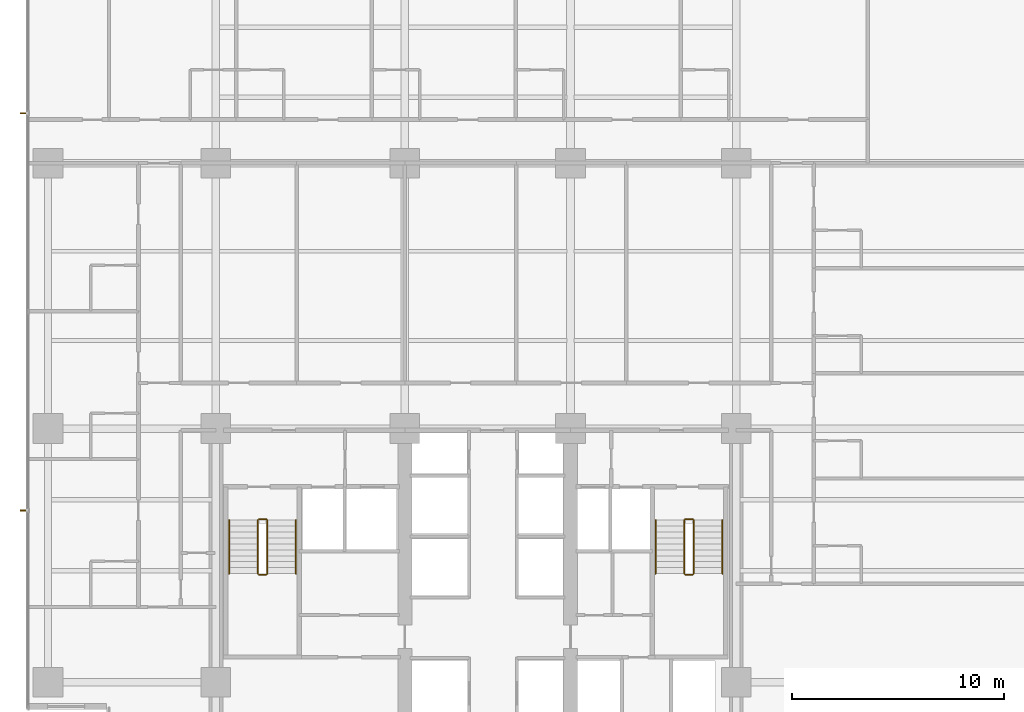
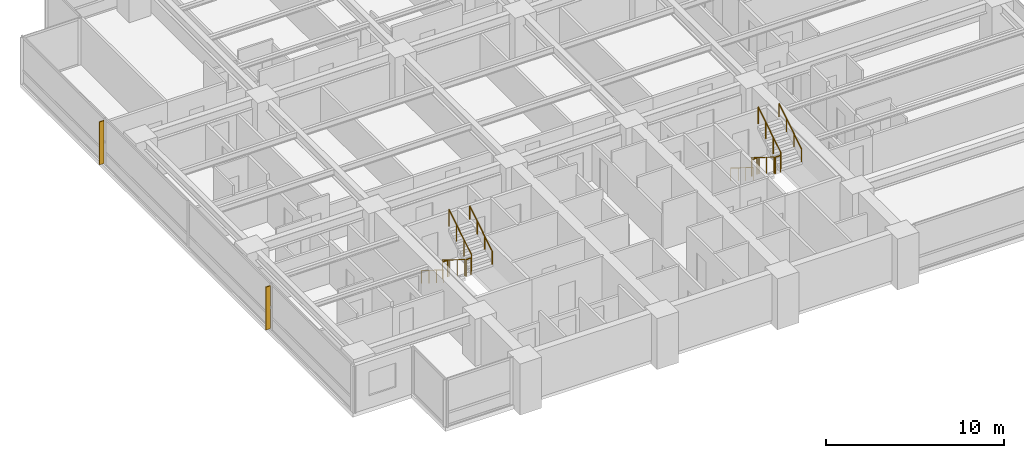
# One storey, part 15 of 17: 12 railings, 2 shading devices.
"""IFC4 building model written with IfcOpenShell, lengths in metres."""

from ifc_helpers import new_model, si_unit, direction, frame, origin, origin_2d, place, context, subcontext, project, spatial, polyline, circle, outline, extrude, material, layer, layer_set, type_object, element, save


model = new_model("IFC4")

# Units and contexts
model_context = context("Model", 3, precision=1e-05, world=origin(), true_north=direction((0.0, 1.0)))
body_context = subcontext(model_context, "Body", "Model", "MODEL_VIEW")
ifc_project = project(units=[si_unit("LENGTHUNIT", "METRE"), si_unit("AREAUNIT", "SQUARE_METRE"), si_unit("VOLUMEUNIT", "CUBIC_METRE"), si_unit("PLANEANGLEUNIT", "RADIAN"), si_unit("MASSUNIT", "GRAM", prefix="KILO")], contexts=[model_context])

# Site, building, storey
site_placement = place(None, origin())
site = spatial("IfcSite", under=ifc_project, at=site_placement, CompositionType="ELEMENT")
building_placement = place(site_placement, origin())
building = spatial("IfcBuilding", under=site, at=building_placement, Name="Qalmaran Belvedere Hotel", CompositionType="ELEMENT")
storey_placement = place(building_placement, frame((0.0, 0.0, 40.39990234375)))
storey = spatial("IfcBuildingStorey", under=building, at=storey_placement, Name="L09", CompositionType="ELEMENT", Elevation=40.39990234375)

# Shading devices
ifc_material_1 = material(Name="Anodised Bronze Aluminium", Category="aluminium")
ifc_layer = layer(ifc_material_1, 0.06494140625, Name="Anodised Bronze Aluminium")
ifc_layer_set = layer_set([ifc_layer], Name="Anodised Bronze Aluminium")
shading_device_type = type_object("IfcShadingDeviceType", Name="FIN-BRNZ-300", PredefinedType="USERDEFINED", material=ifc_layer_set)
shading_device_1_placement = place(storey_placement, frame((0.0, 0.0, 0.16015625)))
element("IfcShadingDevice", 1, at=shading_device_1_placement, inside=storey, type_object=shading_device_type, Name="L09 Bronze Fin 1", ObjectType="FIN", PredefinedType="USERDEFINED", context=body_context, shape_type="SweptSolid", body=[
    extrude(outline(polyline([(11.37744140625, 35.382568359375), (11.077392578125, 35.382568359375), (11.077392578125, 35.3173828125), (11.37744140625, 35.3173828125), (11.37744140625, 35.382568359375)])), origin(), (0.0, 0.0, 1.0), 2.93994140625),
])
shading_device_2_placement = place(storey_placement, frame((0.0, 0.0, 0.16015625)))
element("IfcShadingDevice", 2, at=shading_device_2_placement, inside=storey, type_object=shading_device_type, Name="L09 Bronze Fin 3", ObjectType="FIN", PredefinedType="USERDEFINED", context=body_context, shape_type="SweptSolid", body=[
    extrude(outline(polyline([(11.37744140625, 16.6826171875), (11.077392578125, 16.6826171875), (11.077392578125, 16.617431640625), (11.37744140625, 16.617431640625), (11.37744140625, 16.6826171875)])), origin(), (0.0, 0.0, 1.0), 2.93994140625),
])

# Railings
ifc_material_2 = material(Name="Stainless Steel 1.4401", Category="steel")
railing_type_1 = type_object("IfcRailingType", Name="RLG-STAIR-GUARD-1150", PredefinedType="GUARDRAIL", material=ifc_material_2)
railing_1_placement = place(storey_placement, frame((22.280029296875, 16.18994140625, 0.175048828125)))
element("IfcRailing", 3, at=railing_1_placement, inside=storey, type_object=railing_type_1, Name="L09 ST-1 stair guard 1", PredefinedType="GUARDRAIL", context=body_context, shape_type="SweptSolid", body=[
    extrude(circle(Radius=0.02392578125, at=origin_2d()), frame((0.0, 0.0, 1.1259765625), z_axis=(0.0, -0.848007534815, 0.529984170421), x_axis=(1.0, 0.0, 0.0)), (0.0, 0.0, 1.0), 2.9716796875),
    extrude(circle(Radius=0.02099609375, at=origin_2d()), origin(), (0.0, 0.0, 1.0), 1.101806640625),
    extrude(circle(Radius=0.02099609375, at=origin_2d()), frame((0.0, -0.840087890625, 0.52490234375)), (0.0, 0.0, 1.0), 1.101806640625),
    extrude(circle(Radius=0.02099609375, at=origin_2d()), frame((0.0, -1.679931640625, 1.050048828125)), (0.0, 0.0, 1.0), 1.101806640625),
    extrude(circle(Radius=0.02099609375, at=origin_2d()), frame((0.0, -2.52001953125, 1.574951171875)), (0.0, 0.0, 1.0), 1.101806640625),
])
railing_2_placement = place(storey_placement, frame((22.330078125, 13.6201171875, 1.75)))
element("IfcRailing", 4, at=railing_2_placement, inside=storey, type_object=railing_type_1, Name="L09 ST-1 stair guard 2", PredefinedType="GUARDRAIL", context=body_context, shape_type="SweptSolid", body=[
    extrude(circle(Radius=0.02392578125, at=origin_2d()), frame((0.0, 0.0, 1.1259765625), z_axis=(1.0, 0.0, 0.0), x_axis=(0.0, 1.0, 0.0)), (0.0, 0.0, 1.0), 0.33984375),
    extrude(circle(Radius=0.02099609375, at=origin_2d()), origin(), (0.0, 0.0, 1.0), 1.101806640625),
    extrude(circle(Radius=0.02099609375, at=origin_2d()), frame((0.33984375, 0.0, 0.0)), (0.0, 0.0, 1.0), 1.101806640625),
])
railing_3_placement = place(storey_placement, frame((22.719970703125, 13.669921875, 1.925048828125)))
element("IfcRailing", 5, at=railing_3_placement, inside=storey, type_object=railing_type_1, Name="L09 ST-1 stair guard 3", PredefinedType="GUARDRAIL", context=body_context, shape_type="SweptSolid", body=[
    extrude(circle(Radius=0.02392578125, at=origin_2d()), frame((0.0, 0.0, 1.1259765625), z_axis=(0.0, 0.848007534815, 0.529984170421), x_axis=(-1.0, 0.0, 0.0)), (0.0, 0.0, 1.0), 2.9716796875),
    extrude(circle(Radius=0.02099609375, at=origin_2d()), origin(), (0.0, 0.0, 1.0), 1.101806640625),
    extrude(circle(Radius=0.02099609375, at=origin_2d()), frame((0.0, 0.840087890625, 0.52490234375)), (0.0, 0.0, 1.0), 1.101806640625),
    extrude(circle(Radius=0.02099609375, at=origin_2d()), frame((0.0, 1.679931640625, 1.050048828125)), (0.0, 0.0, 1.0), 1.101806640625),
    extrude(circle(Radius=0.02099609375, at=origin_2d()), frame((0.0, 2.52001953125, 1.574951171875)), (0.0, 0.0, 1.0), 1.101806640625),
])
railing_4_placement = place(storey_placement, frame((22.330078125, 16.239990234375, 0.0)))
element("IfcRailing", 6, at=railing_4_placement, inside=storey, type_object=railing_type_1, Name="L09 ST-1 stair guard 4", PredefinedType="GUARDRAIL", context=body_context, shape_type="SweptSolid", body=[
    extrude(circle(Radius=0.02392578125, at=origin_2d()), frame((0.0, 0.0, 1.1259765625), z_axis=(1.0, 0.0, 0.0), x_axis=(0.0, 1.0, 0.0)), (0.0, 0.0, 1.0), 0.33984375),
    extrude(circle(Radius=0.02099609375, at=origin_2d()), origin(), (0.0, 0.0, 1.0), 1.101806640625),
    extrude(circle(Radius=0.02099609375, at=origin_2d()), frame((0.33984375, 0.0, 0.0)), (0.0, 0.0, 1.0), 1.101806640625),
])
railing_5_placement = place(storey_placement, frame((42.360107421875, 16.18994140625, 0.175048828125)))
element("IfcRailing", 7, at=railing_5_placement, inside=storey, type_object=railing_type_1, Name="L09 ST-2 stair guard 1", PredefinedType="GUARDRAIL", context=body_context, shape_type="SweptSolid", body=[
    extrude(circle(Radius=0.02392578125, at=origin_2d()), frame((0.0, 0.0, 1.1259765625), z_axis=(0.0, -0.848007534815, 0.529984170421), x_axis=(1.0, 0.0, 0.0)), (0.0, 0.0, 1.0), 2.9716796875),
    extrude(circle(Radius=0.02099609375, at=origin_2d()), origin(), (0.0, 0.0, 1.0), 1.101806640625),
    extrude(circle(Radius=0.02099609375, at=origin_2d()), frame((0.0, -0.840087890625, 0.52490234375)), (0.0, 0.0, 1.0), 1.101806640625),
    extrude(circle(Radius=0.02099609375, at=origin_2d()), frame((0.0, -1.679931640625, 1.050048828125)), (0.0, 0.0, 1.0), 1.101806640625),
    extrude(circle(Radius=0.02099609375, at=origin_2d()), frame((0.0, -2.52001953125, 1.574951171875)), (0.0, 0.0, 1.0), 1.101806640625),
])
railing_6_placement = place(storey_placement, frame((42.409912109375, 13.6201171875, 1.75)))
element("IfcRailing", 8, at=railing_6_placement, inside=storey, type_object=railing_type_1, Name="L09 ST-2 stair guard 2", PredefinedType="GUARDRAIL", context=body_context, shape_type="SweptSolid", body=[
    extrude(circle(Radius=0.02392578125, at=origin_2d()), frame((0.0, 0.0, 1.1259765625), z_axis=(1.0, 0.0, 0.0), x_axis=(0.0, 1.0, 0.0)), (0.0, 0.0, 1.0), 0.340087890625),
    extrude(circle(Radius=0.02099609375, at=origin_2d()), origin(), (0.0, 0.0, 1.0), 1.101806640625),
    extrude(circle(Radius=0.02099609375, at=origin_2d()), frame((0.340087890625, 0.0, 0.0)), (0.0, 0.0, 1.0), 1.101806640625),
])
railing_7_placement = place(storey_placement, frame((42.800048828125, 13.669921875, 1.925048828125)))
element("IfcRailing", 9, at=railing_7_placement, inside=storey, type_object=railing_type_1, Name="L09 ST-2 stair guard 3", PredefinedType="GUARDRAIL", context=body_context, shape_type="SweptSolid", body=[
    extrude(circle(Radius=0.02392578125, at=origin_2d()), frame((0.0, 0.0, 1.1259765625), z_axis=(0.0, 0.848007534815, 0.529984170421), x_axis=(-1.0, 0.0, 0.0)), (0.0, 0.0, 1.0), 2.9716796875),
    extrude(circle(Radius=0.02099609375, at=origin_2d()), origin(), (0.0, 0.0, 1.0), 1.101806640625),
    extrude(circle(Radius=0.02099609375, at=origin_2d()), frame((0.0, 0.840087890625, 0.52490234375)), (0.0, 0.0, 1.0), 1.101806640625),
    extrude(circle(Radius=0.02099609375, at=origin_2d()), frame((0.0, 1.679931640625, 1.050048828125)), (0.0, 0.0, 1.0), 1.101806640625),
    extrude(circle(Radius=0.02099609375, at=origin_2d()), frame((0.0, 2.52001953125, 1.574951171875)), (0.0, 0.0, 1.0), 1.101806640625),
])
railing_8_placement = place(storey_placement, frame((42.409912109375, 16.239990234375, 0.0)))
element("IfcRailing", 10, at=railing_8_placement, inside=storey, type_object=railing_type_1, Name="L09 ST-2 stair guard 4", PredefinedType="GUARDRAIL", context=body_context, shape_type="SweptSolid", body=[
    extrude(circle(Radius=0.02392578125, at=origin_2d()), frame((0.0, 0.0, 1.1259765625), z_axis=(1.0, 0.0, 0.0), x_axis=(0.0, 1.0, 0.0)), (0.0, 0.0, 1.0), 0.340087890625),
    extrude(circle(Radius=0.02099609375, at=origin_2d()), origin(), (0.0, 0.0, 1.0), 1.101806640625),
    extrude(circle(Radius=0.02099609375, at=origin_2d()), frame((0.340087890625, 0.0, 0.0)), (0.0, 0.0, 1.0), 1.101806640625),
])
railing_type_2 = type_object("IfcRailingType", Name="RLG-STAIR-HAND-910", PredefinedType="HANDRAIL", material=ifc_material_2)
railing_9_placement = place(storey_placement, frame((20.929931640625, 16.18994140625, 0.175048828125)))
element("IfcRailing", 11, at=railing_9_placement, inside=storey, type_object=railing_type_2, Name="L09 ST-1 stair handrail 1", PredefinedType="HANDRAIL", context=body_context, shape_type="SweptSolid", body=[
    extrude(circle(Radius=0.02392578125, at=origin_2d()), frame((0.0, 0.0, 0.8857421875), z_axis=(0.0, -0.848007534815, 0.529984170421), x_axis=(1.0, 0.0, 0.0)), (0.0, 0.0, 1.0), 2.9716796875),
    extrude(circle(Radius=0.02099609375, at=origin_2d()), origin(), (0.0, 0.0, 1.0), 0.86181640625),
    extrude(circle(Radius=0.02099609375, at=origin_2d()), frame((0.0, -0.840087890625, 0.52490234375)), (0.0, 0.0, 1.0), 0.86181640625),
    extrude(circle(Radius=0.02099609375, at=origin_2d()), frame((0.0, -1.679931640625, 1.050048828125)), (0.0, 0.0, 1.0), 0.86181640625),
    extrude(circle(Radius=0.02099609375, at=origin_2d()), frame((0.0, -2.52001953125, 1.574951171875)), (0.0, 0.0, 1.0), 0.86181640625),
])
railing_10_placement = place(storey_placement, frame((24.070068359375, 13.669921875, 1.925048828125)))
element("IfcRailing", 12, at=railing_10_placement, inside=storey, type_object=railing_type_2, Name="L09 ST-1 stair handrail 2", PredefinedType="HANDRAIL", context=body_context, shape_type="SweptSolid", body=[
    extrude(circle(Radius=0.02392578125, at=origin_2d()), frame((0.0, 0.0, 0.8857421875), z_axis=(0.0, 0.848007534815, 0.529984170421), x_axis=(-1.0, 0.0, 0.0)), (0.0, 0.0, 1.0), 2.9716796875),
    extrude(circle(Radius=0.02099609375, at=origin_2d()), origin(), (0.0, 0.0, 1.0), 0.86181640625),
    extrude(circle(Radius=0.02099609375, at=origin_2d()), frame((0.0, 0.840087890625, 0.52490234375)), (0.0, 0.0, 1.0), 0.86181640625),
    extrude(circle(Radius=0.02099609375, at=origin_2d()), frame((0.0, 1.679931640625, 1.050048828125)), (0.0, 0.0, 1.0), 0.86181640625),
    extrude(circle(Radius=0.02099609375, at=origin_2d()), frame((0.0, 2.52001953125, 1.574951171875)), (0.0, 0.0, 1.0), 0.86181640625),
])
railing_11_placement = place(storey_placement, frame((41.010009765625, 16.18994140625, 0.175048828125)))
element("IfcRailing", 13, at=railing_11_placement, inside=storey, type_object=railing_type_2, Name="L09 ST-2 stair handrail 1", PredefinedType="HANDRAIL", context=body_context, shape_type="SweptSolid", body=[
    extrude(circle(Radius=0.02392578125, at=origin_2d()), frame((0.0, 0.0, 0.8857421875), z_axis=(0.0, -0.848007534815, 0.529984170421), x_axis=(1.0, 0.0, 0.0)), (0.0, 0.0, 1.0), 2.9716796875),
    extrude(circle(Radius=0.02099609375, at=origin_2d()), origin(), (0.0, 0.0, 1.0), 0.86181640625),
    extrude(circle(Radius=0.02099609375, at=origin_2d()), frame((0.0, -0.840087890625, 0.52490234375)), (0.0, 0.0, 1.0), 0.86181640625),
    extrude(circle(Radius=0.02099609375, at=origin_2d()), frame((0.0, -1.679931640625, 1.050048828125)), (0.0, 0.0, 1.0), 0.86181640625),
    extrude(circle(Radius=0.02099609375, at=origin_2d()), frame((0.0, -2.52001953125, 1.574951171875)), (0.0, 0.0, 1.0), 0.86181640625),
])
railing_12_placement = place(storey_placement, frame((44.14990234375, 13.669921875, 1.925048828125)))
element("IfcRailing", 14, at=railing_12_placement, inside=storey, type_object=railing_type_2, Name="L09 ST-2 stair handrail 2", PredefinedType="HANDRAIL", context=body_context, shape_type="SweptSolid", body=[
    extrude(circle(Radius=0.02392578125, at=origin_2d()), frame((0.0, 0.0, 0.8857421875), z_axis=(0.0, 0.848007534815, 0.529984170421), x_axis=(-1.0, 0.0, 0.0)), (0.0, 0.0, 1.0), 2.9716796875),
    extrude(circle(Radius=0.02099609375, at=origin_2d()), origin(), (0.0, 0.0, 1.0), 0.86181640625),
    extrude(circle(Radius=0.02099609375, at=origin_2d()), frame((0.0, 0.840087890625, 0.52490234375)), (0.0, 0.0, 1.0), 0.86181640625),
    extrude(circle(Radius=0.02099609375, at=origin_2d()), frame((0.0, 1.679931640625, 1.050048828125)), (0.0, 0.0, 1.0), 0.86181640625),
    extrude(circle(Radius=0.02099609375, at=origin_2d()), frame((0.0, 2.52001953125, 1.574951171875)), (0.0, 0.0, 1.0), 0.86181640625),
])

save(model, "model.ifc")
